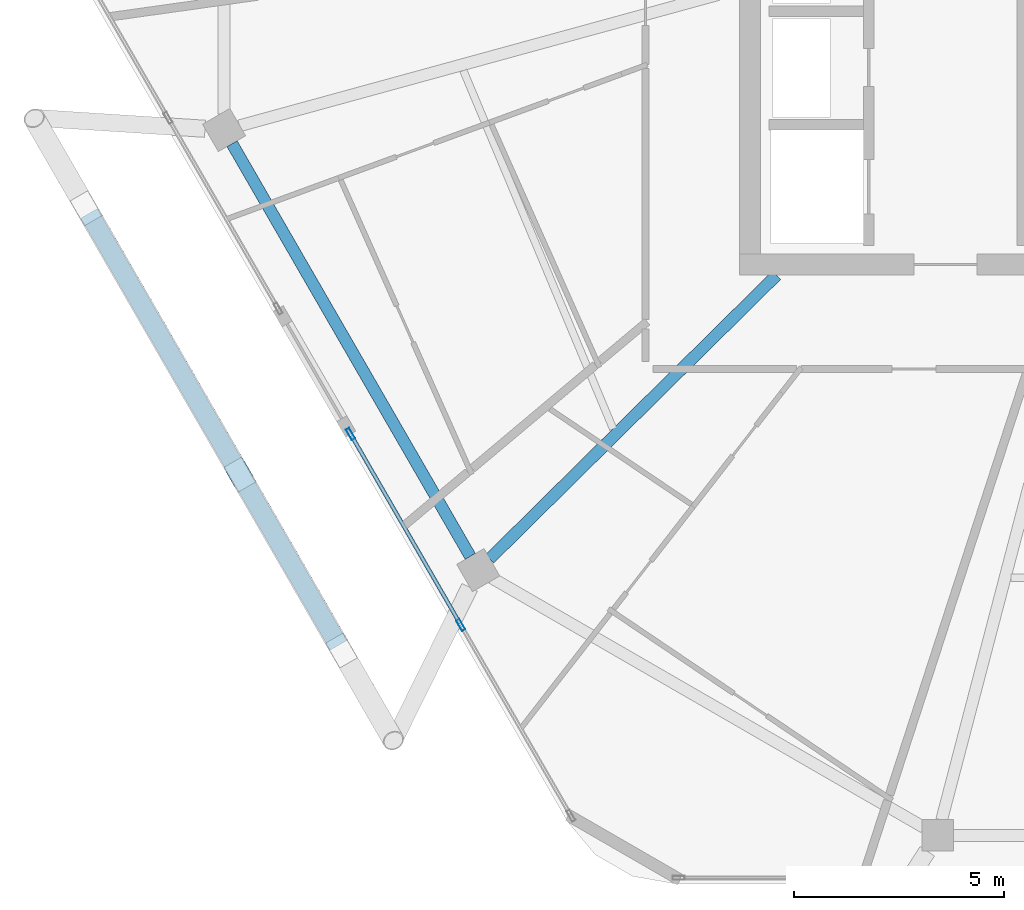
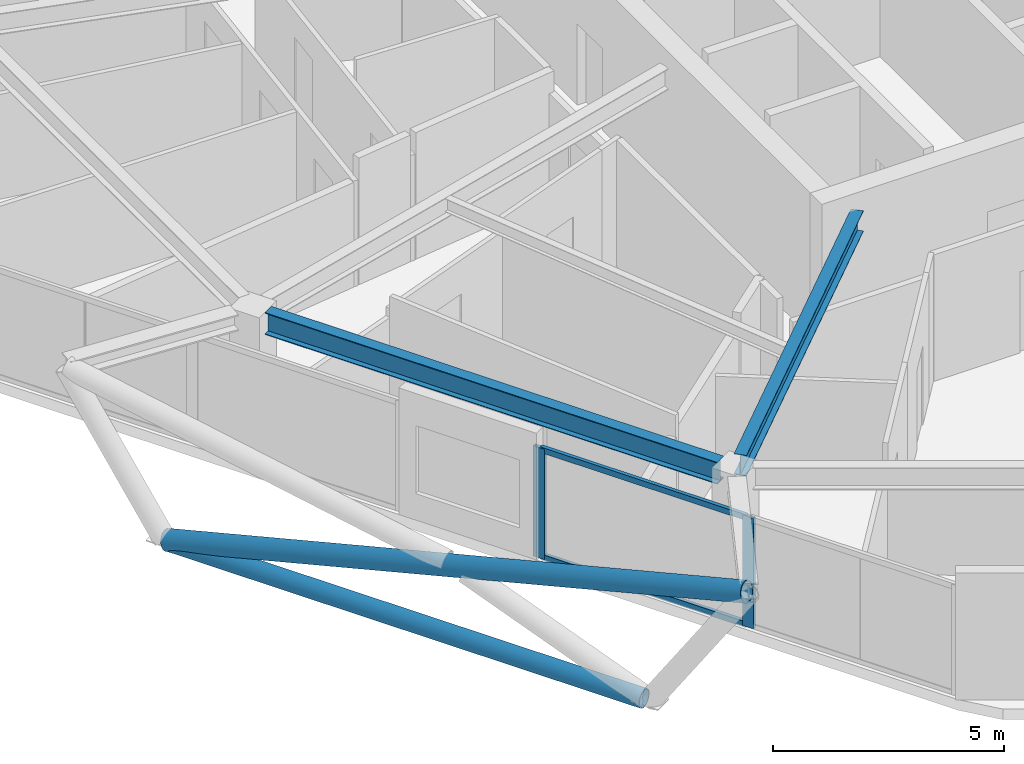
# One storey, part 3 of 23: 6 members, 2 beams, 1 element without a shape of its own.
"""IFC4 building model written with IfcOpenShell, lengths in metres."""

from ifc_helpers import new_model, si_unit, direction, frame, origin, origin_2d, place, context, subcontext, project, spatial, hollow_rectangle, hollow_circle, i_section, extrude, material, material_profile, profile_set, type_object, element, aggregate, save


model = new_model("IFC4")

# Units and contexts
model_context = context("Model", 3, precision=1e-05, world=origin(), true_north=direction((0.0, 1.0)))
body_context = subcontext(model_context, "Body", "Model", "MODEL_VIEW")
ifc_project = project(units=[si_unit("LENGTHUNIT", "METRE"), si_unit("AREAUNIT", "SQUARE_METRE"), si_unit("VOLUMEUNIT", "CUBIC_METRE"), si_unit("PLANEANGLEUNIT", "RADIAN"), si_unit("MASSUNIT", "GRAM", prefix="KILO")], contexts=[model_context])

# Site, building, storey
site_placement = place(None, origin())
site = spatial("IfcSite", under=ifc_project, at=site_placement, CompositionType="ELEMENT")
building_placement = place(site_placement, origin())
building = spatial("IfcBuilding", under=site, at=building_placement, Name="Zuhravey Tower", CompositionType="ELEMENT")
storey_placement = place(building_placement, frame((0.0, 0.0, 353.800048828125)))
storey = spatial("IfcBuildingStorey", under=building, at=storey_placement, Name="L90", CompositionType="ELEMENT", Elevation=353.800048828125)

# Curtain wall, members
ifc_material_1 = material(Name="Thermally broken anodised aluminium", Category="aluminium")
curtain_wall_type = type_object("IfcCurtainWallType", Name="Zone 3-4 High-Rise Curtain Wall CW4", PredefinedType="NOTDEFINED", material=ifc_material_1)
curtain_wall_placement = place(storey_placement, origin())
curtain_wall = element("IfcCurtainWall", 1, at=curtain_wall_placement, inside=storey, type_object=curtain_wall_type, Name="L90 CW4 CW-L90-F4-1", PredefinedType="NOTDEFINED")
ifc_material_2 = material(Name="Anodised aluminium", Category="aluminium")
ifc_material_profile_1 = material_profile(ifc_material_2, hollow_rectangle(XDim=0.090087890625, YDim=0.284912109375, WallThickness=0.0048828125, at=origin_2d()), Name="ALU-RHS-90x285x5")
ifc_profile_set_1 = profile_set([ifc_material_profile_1], Name="Anodised aluminium")
member_type_1 = type_object("IfcMemberType", Name="Curtain-Wall Mullion 90x180", PredefinedType="MULLION", material=ifc_profile_set_1)
member_1_placement = place(storey_placement, frame((18.6298828125, 13.93798828125, 0.0), z_axis=(0.0, 0.0, 1.0), x_axis=(-0.866028584979, -0.49999448997, 0.0)))
member_1 = element("IfcMember", 2, at=member_1_placement, type_object=member_type_1, Name="CW4 mullion 2", PredefinedType="MULLION", context=body_context, shape_type="SweptSolid", body=[
    extrude(hollow_rectangle(XDim=0.090087890625, YDim=0.284912109375, WallThickness=0.0048828125, at=origin_2d()), origin(), (0.0, 0.0, 1.0), 2.921875),
])
member_2_placement = place(storey_placement, frame((16.01123046875, 18.473388671875, 0.0), z_axis=(0.0, 0.0, 1.0), x_axis=(-0.866028584979, -0.49999448997, 0.0)))
member_2 = element("IfcMember", 3, at=member_2_placement, type_object=member_type_1, Name="CW4 mullion 3", PredefinedType="MULLION", context=body_context, shape_type="SweptSolid", body=[
    extrude(hollow_rectangle(XDim=0.090087890625, YDim=0.284912109375, WallThickness=0.0048828125, at=origin_2d()), origin(), (0.0, 0.0, 1.0), 2.921875),
])
ifc_material_profile_2 = material_profile(ifc_material_2, hollow_rectangle(XDim=0.090087890625, YDim=0.14990234375, WallThickness=0.0048828125, at=origin_2d()), Name="ALU-RHS-90x150x5")
ifc_profile_set_2 = profile_set([ifc_material_profile_2], Name="Anodised aluminium")
member_type_2 = type_object("IfcMemberType", Name="Curtain-Wall Transom 90x150", PredefinedType="USERDEFINED", material=ifc_profile_set_2)
member_3_placement = place(storey_placement, frame((18.607421875, 13.976806640625, 0.044921875), z_axis=(-0.500005742616, 0.866022088258, 0.0), x_axis=(-0.866022088258, -0.500005742616, 0.0)))
member_3 = element("IfcMember", 4, at=member_3_placement, type_object=member_type_2, Name="CW4 transom 2.1", ObjectType="TRANSOM", PredefinedType="USERDEFINED", context=body_context, shape_type="SweptSolid", body=[
    extrude(hollow_rectangle(XDim=0.090087890625, YDim=0.14990234375, WallThickness=0.0048828125, at=origin_2d()), origin(), (0.0, 0.0, 1.0), 5.1474609375),
])
member_4_placement = place(storey_placement, frame((18.607421875, 13.976806640625, 2.876953125), z_axis=(-0.500005742616, 0.866022088258, 0.0), x_axis=(-0.866022088258, -0.500005742616, 0.0)))
member_4 = element("IfcMember", 5, at=member_4_placement, type_object=member_type_2, Name="CW4 transom 2.2", ObjectType="TRANSOM", PredefinedType="USERDEFINED", context=body_context, shape_type="SweptSolid", body=[
    extrude(hollow_rectangle(XDim=0.090087890625, YDim=0.14990234375, WallThickness=0.0048828125, at=origin_2d()), origin(), (0.0, 0.0, 1.0), 5.1474609375),
])
aggregate(curtain_wall, [member_1, member_2, member_3, member_4])

# Members
ifc_material_3 = material(Name="Steel SM355", Category="steel")
ifc_material_profile_3 = material_profile(ifc_material_3, hollow_circle(Radius=0.228515625, WallThickness=0.02197265625, at=origin_2d()), Name="CHS-457.2x22")
ifc_profile_set_3 = profile_set([ifc_material_profile_3], Name="Steel SM355")
member_type_3 = type_object("IfcMemberType", Name="Exoskeleton Ring Tie CHS457x22", PredefinedType="CHORD", material=ifc_profile_set_3)
member_5_placement = place(storey_placement, frame((9.79736328125, 23.71630859375, -0.59912109375), z_axis=(0.499988670204, -0.866031944946, 0.0), x_axis=(0.866031944946, 0.499988670204, 0.0)))
element("IfcMember", 6, at=member_5_placement, inside=storey, type_object=member_type_3, Name="L90 Exoskeleton Face 4 Tie EXR1", PredefinedType="CHORD", context=body_context, shape_type="SweptSolid", body=[
    extrude(hollow_circle(Radius=0.228515625, WallThickness=0.02197265625, at=origin_2d()), origin(), (0.0, 0.0, 1.0), 11.854736328125),
])
ifc_material_profile_4 = material_profile(ifc_material_3, hollow_circle(Radius=0.25390625, WallThickness=0.02490234375, at=origin_2d()), Name="CHS-508.0x25")
ifc_profile_set_4 = profile_set([ifc_material_profile_4], Name="Steel SM355")
member_type_4 = type_object("IfcMemberType", Name="Exoskeleton Zone 4 Diagrid CHS508x25", PredefinedType="BRACE", material=ifc_profile_set_4)
member_6_placement = place(storey_placement, frame((9.753173828125, 23.792724609375, -0.5859375), z_axis=(0.484437036874, -0.839061767238, 0.247580508248), x_axis=(0.866023392745, 0.500003483207, 0.0)))
element("IfcMember", 7, at=member_6_placement, inside=storey, type_object=member_type_4, Name="L90 Face 4 Diagrid Brace 2", PredefinedType="BRACE", context=body_context, shape_type="SweptSolid", body=[
    extrude(hollow_circle(Radius=0.25390625, WallThickness=0.02490234375, at=origin_2d()), origin(), (0.0, 0.0, 1.0), 14.97998046875),
])

# Beams
ifc_material_profile_5 = material_profile(ifc_material_3, i_section(OverallWidth=0.280029296875, OverallDepth=0.580078125, WebThickness=0.011962890625, FlangeThickness=0.01904296875, at=origin_2d()), Name="H-580x280x12x19")
ifc_profile_set_5 = profile_set([ifc_material_profile_5], Name="Steel SM355")
beam_type_1 = type_object("IfcBeamType", Name="Perimeter Ring Beam H580x280", PredefinedType="BEAM", material=ifc_profile_set_5)
beam_1_placement = place(storey_placement, frame((13.195556640625, 25.370361328125, 3.06005859375), z_axis=(0.499993743963, -0.866029015679, 0.0), x_axis=(0.866029015679, 0.499993743963, 0.0)))
element("IfcBeam", 8, at=beam_1_placement, inside=storey, type_object=beam_type_1, Name="L90 PB4 BM-L90-PB-07", PredefinedType="BEAM", context=body_context, shape_type="SweptSolid", body=[
    extrude(i_section(OverallWidth=0.280029296875, OverallDepth=0.580078125, WebThickness=0.011962890625, FlangeThickness=0.01904296875, at=origin_2d()), origin(), (0.0, 0.0, 1.0), 11.321533203125),
])
ifc_material_profile_6 = material_profile(ifc_material_3, i_section(OverallWidth=0.280029296875, OverallDepth=0.550048828125, WebThickness=0.010986328125, FlangeThickness=0.01806640625, at=origin_2d()), Name="H-550x280x11x18")
ifc_profile_set_6 = profile_set([ifc_material_profile_6], Name="Steel SM355")
beam_type_2 = type_object("IfcBeamType", Name="Radial Primary Girder H550x280", PredefinedType="BEAM", material=ifc_profile_set_6)
beam_2_placement = place(storey_placement, frame((26.134765625, 22.2470703125, 3.074951171875), z_axis=(-0.711142578304, -0.703047817238, 0.0), x_axis=(0.703047817238, -0.711142578304, 0.0)))
element("IfcBeam", 9, at=beam_2_placement, inside=storey, type_object=beam_type_2, Name="L90 RG4 BM-L90-RAD-08", PredefinedType="BEAM", context=body_context, shape_type="SweptSolid", body=[
    extrude(i_section(OverallWidth=0.280029296875, OverallDepth=0.550048828125, WebThickness=0.010986328125, FlangeThickness=0.01806640625, at=origin_2d()), origin(), (0.0, 0.0, 1.0), 9.591064453125),
])

save(model, "model.ifc")
